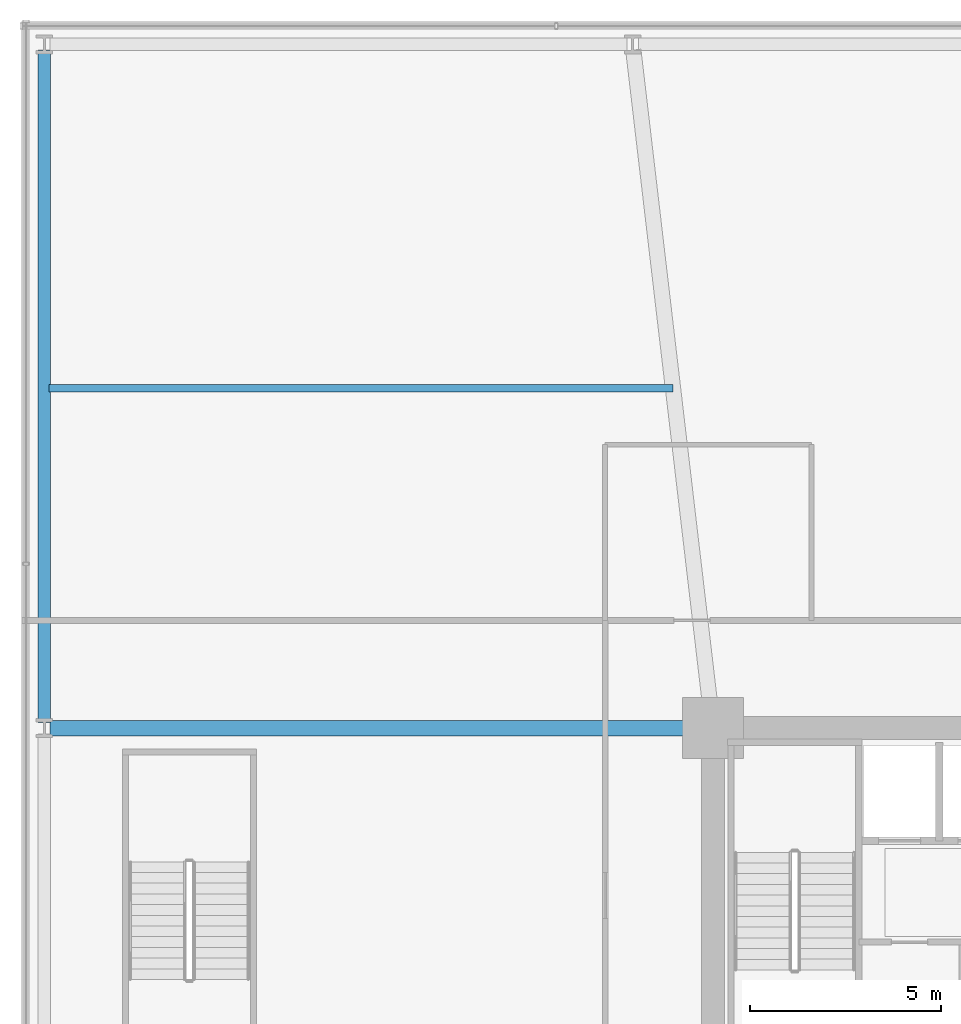
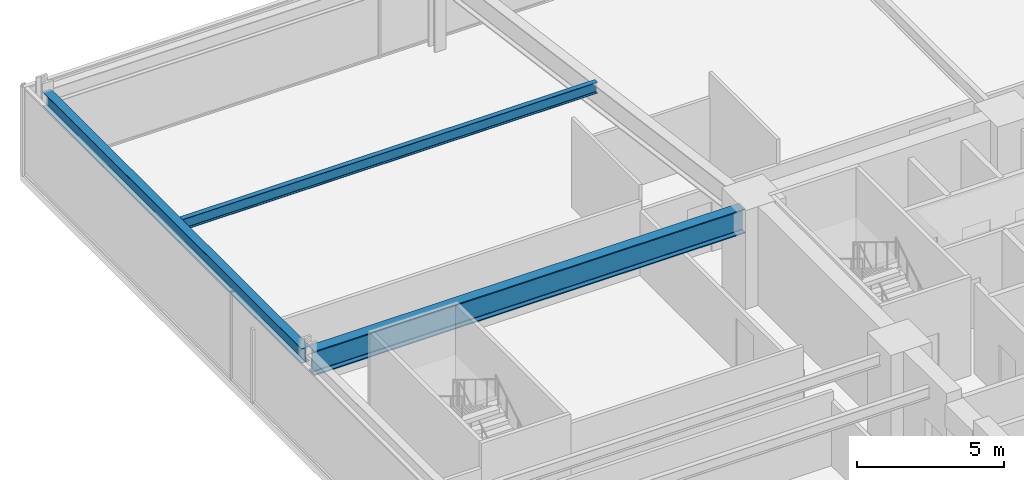
# One storey, part 22 of 39: 3 beams.
"""IFC4 building model written with IfcOpenShell, lengths in metres."""

from ifc_helpers import new_model, si_unit, direction, frame, origin, origin_2d, place, context, subcontext, project, spatial, i_section, extrude, material, material_profile, profile_set, type_object, element, save


model = new_model("IFC4")

# Units and contexts
model_context = context("Model", 3, precision=1e-05, world=origin(), true_north=direction((0.0, 1.0)))
body_context = subcontext(model_context, "Body", "Model", "MODEL_VIEW")
ifc_project = project(units=[si_unit("LENGTHUNIT", "METRE"), si_unit("AREAUNIT", "SQUARE_METRE"), si_unit("VOLUMEUNIT", "CUBIC_METRE"), si_unit("PLANEANGLEUNIT", "RADIAN"), si_unit("MASSUNIT", "GRAM", prefix="KILO")], contexts=[model_context])

# Site, building, storey
site_placement = place(None, origin())
site = spatial("IfcSite", under=ifc_project, at=site_placement, CompositionType="ELEMENT")
building_placement = place(site_placement, origin())
building = spatial("IfcBuilding", under=site, at=building_placement, Name="Kolvaren Belvedere", CompositionType="ELEMENT")
storey_placement = place(building_placement, frame((0.0, 0.0, 15.199951171875)))
storey = spatial("IfcBuildingStorey", under=building, at=storey_placement, Name="L04", CompositionType="ELEMENT", Elevation=15.199951171875)

# Beams
ifc_material_1 = material(Name="Structural steel ASTM A992 Grade 50", Category="steel")
ifc_material_profile_1 = material_profile(ifc_material_1, i_section(OverallWidth=0.40087890625, OverallDepth=1.010986328125, WebThickness=0.023681640625, FlangeThickness=0.0419921875, FilletRadius=0.030029296875, at=origin_2d()), Name="W40X297")
ifc_profile_set_1 = profile_set([ifc_material_profile_1], Name="Structural steel ASTM A992 Grade 50")
beam_type_1 = type_object("IfcBeamType", Name="BM-BALL-W40X297", PredefinedType="BEAM", material=ifc_profile_set_1)
beam_1_placement = place(storey_placement, frame((-27.25, 9.89990234375, 3.194580078125), z_axis=(1.0, 0.0, 0.0), x_axis=(0.0, 1.0, 0.0)))
element("IfcBeam", 1, at=beam_1_placement, inside=storey, type_object=beam_type_1, Name="L04 West Interior Girder N", PredefinedType="BEAM", context=body_context, shape_type="SweptSolid", body=[
    extrude(i_section(OverallWidth=0.40087890625, OverallDepth=1.010986328125, WebThickness=0.023681640625, FlangeThickness=0.0419921875, FilletRadius=0.030029296875, at=origin_2d()), origin(), (0.0, 0.0, 1.0), 16.89990234375),
])
ifc_material_2 = material(Name="Structural steel ASTM A992 Grade 50", Category="steel")
ifc_material_profile_2 = material_profile(ifc_material_2, i_section(OverallWidth=0.19091796875, OverallDepth=0.4599609375, WebThickness=0.010009765625, FlangeThickness=0.01611328125, FilletRadius=0.014892578125, at=origin_2d()), Name="W18X55")
ifc_profile_set_2 = profile_set([ifc_material_profile_2], Name="Structural steel ASTM A992 Grade 50")
beam_type_2 = type_object("IfcBeamType", Name="BM-JOIST-W18X55", PredefinedType="BEAM", material=ifc_profile_set_2)
beam_2_placement = place(storey_placement, frame((-27.280029296875, 18.800048828125, 3.469970703125), z_axis=(1.0, 0.0, 0.0), x_axis=(0.0, 1.0, 0.0)))
element("IfcBeam", 2, at=beam_2_placement, inside=storey, type_object=beam_type_2, Name="L04 West Bay Floor Beam", PredefinedType="BEAM", context=body_context, shape_type="SweptSolid", body=[
    extrude(i_section(OverallWidth=0.19091796875, OverallDepth=0.4599609375, WebThickness=0.010009765625, FlangeThickness=0.01611328125, FilletRadius=0.014892578125, at=origin_2d()), origin(), (0.0, 0.0, 1.0), 16.340087890625),
])
ifc_material_3 = material(Name="Structural steel ASTM A992 Grade 50", Category="steel")
ifc_material_profile_3 = material_profile(ifc_material_3, i_section(OverallWidth=0.324951171875, OverallDepth=0.615966796875, WebThickness=0.013916015625, FlangeThickness=0.021484375, FilletRadius=0.02001953125, at=origin_2d()), Name="W24X117")
ifc_profile_set_3 = profile_set([ifc_material_profile_3], Name="Structural steel ASTM A992 Grade 50")
beam_type_3 = type_object("IfcBeamType", Name="BM-SPAN-W24X117", PredefinedType="SPANDREL", material=ifc_profile_set_3)
beam_3_placement = place(storey_placement, frame((-27.39990234375, 10.050048828125, 3.39208984375), z_axis=(0.0, 1.0, 0.0), x_axis=(-1.0, 0.0, 0.0)))
element("IfcBeam", 3, at=beam_3_placement, inside=storey, type_object=beam_type_3, Name="L04 W Podium Spandrel 3", PredefinedType="SPANDREL", context=body_context, shape_type="SweptSolid", body=[
    extrude(i_section(OverallWidth=0.324951171875, OverallDepth=0.615966796875, WebThickness=0.013916015625, FlangeThickness=0.021484375, FilletRadius=0.02001953125, at=origin_2d()), origin(), (0.0, 0.0, 1.0), 17.599853515625),
])

save(model, "model.ifc")
